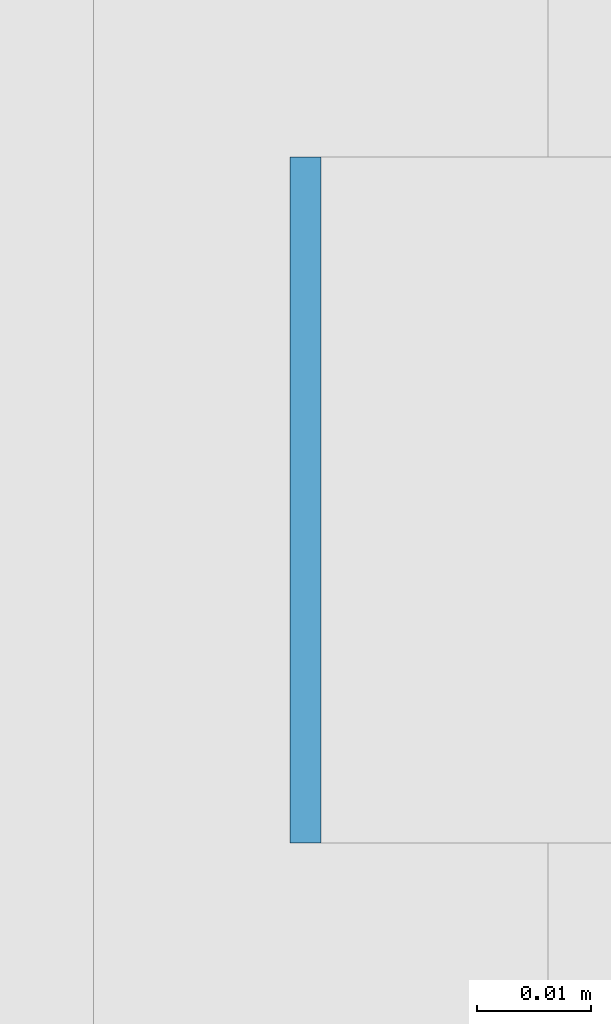
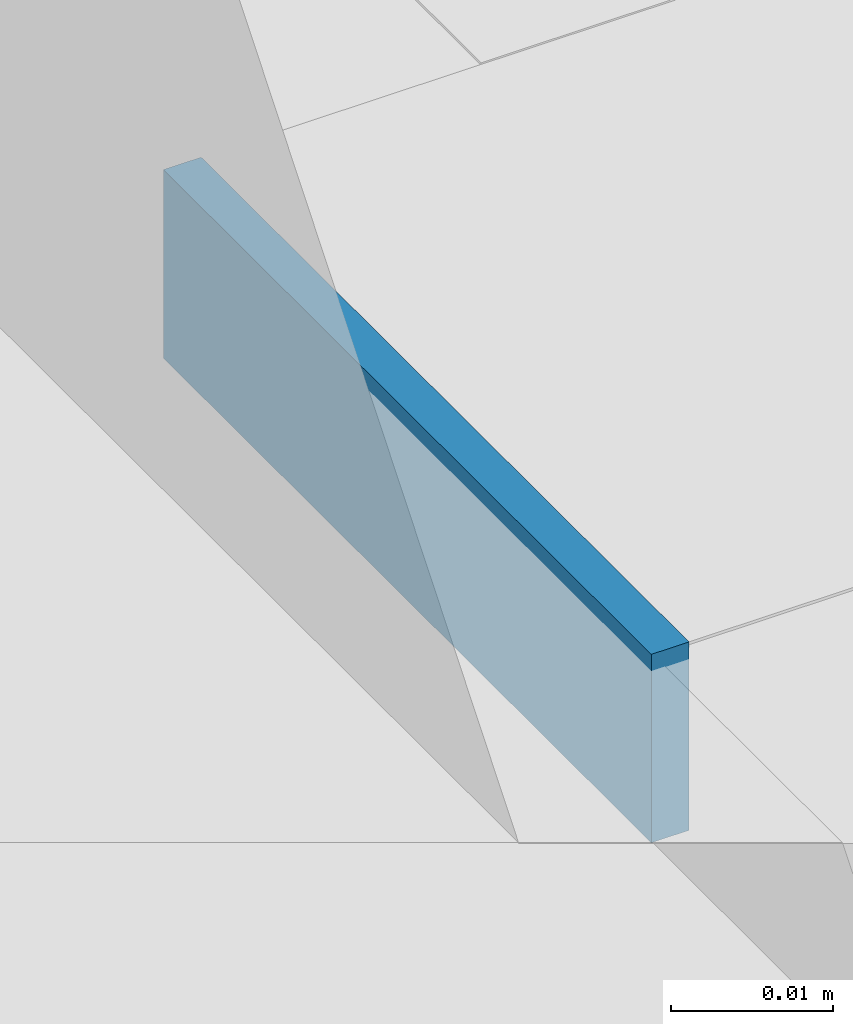
# One storey, part 547 of 646: 1 discrete accessory.
"""IFC4 building model written with IfcOpenShell, lengths in metres."""

from ifc_helpers import new_model, si_unit, direction, frame, origin, origin_2d, place, context, subcontext, project, spatial, rectangle, extrude, material, type_object, element, save


model = new_model("IFC4")

# Units and contexts
model_context = context("Model", 3, precision=1e-05, world=origin(), true_north=direction((0.0, 1.0)))
body_context = subcontext(model_context, "Body", "Model", "MODEL_VIEW")
ifc_project = project(units=[si_unit("LENGTHUNIT", "METRE"), si_unit("AREAUNIT", "SQUARE_METRE"), si_unit("VOLUMEUNIT", "CUBIC_METRE"), si_unit("PLANEANGLEUNIT", "RADIAN"), si_unit("MASSUNIT", "GRAM", prefix="KILO")], contexts=[model_context])

# Site, building, storey
site_placement = place(None, origin())
site = spatial("IfcSite", under=ifc_project, at=site_placement, CompositionType="ELEMENT")
building_placement = place(site_placement, origin())
building = spatial("IfcBuilding", under=site, at=building_placement, Name="Silverbay Arena", CompositionType="ELEMENT")
storey_placement = place(building_placement, frame((0.0, 0.0, 33.5)))
storey = spatial("IfcBuildingStorey", under=building, at=storey_placement, Name="L05", CompositionType="ELEMENT", Elevation=33.5)

# Discrete accessory
ifc_material = material(Name="Steel S355", Category="steel")
discrete_accessory_type = type_object("IfcDiscreteAccessoryType", Name="Steel bracket plate", PredefinedType="BRACKET", material=ifc_material)
discrete_accessory_placement = place(storey_placement, frame((207.128662109375, 93.857177734375, 12.98583984375), z_axis=(0.0, 0.0, 1.0), x_axis=(1.0, 0.0, 0.0)))
element("IfcDiscreteAccessory", 1, at=discrete_accessory_placement, inside=storey, type_object=discrete_accessory_type, Name="Curtain wall packing plate", PredefinedType="BRACKET", context=body_context, shape_type="SweptSolid", body=[
    extrude(rectangle(XDim=0.002685546875, YDim=0.06005859375, at=origin_2d()), origin(), (0.0, 0.0, 1.0), 0.01416015625),
])

save(model, "model.ifc")
